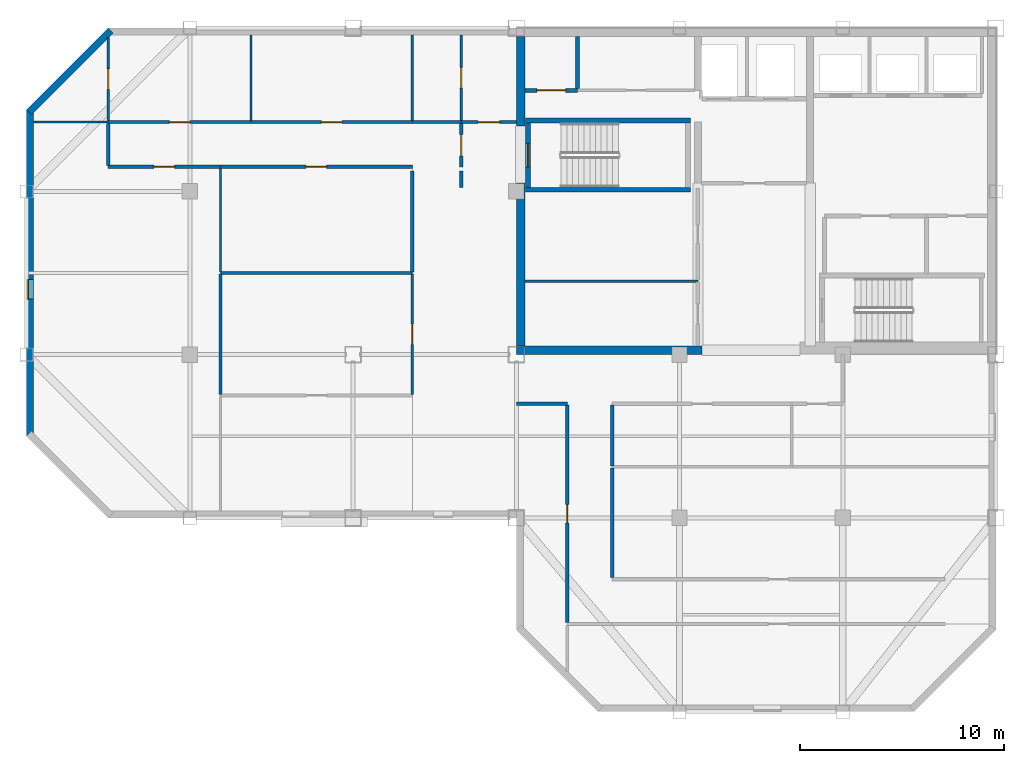
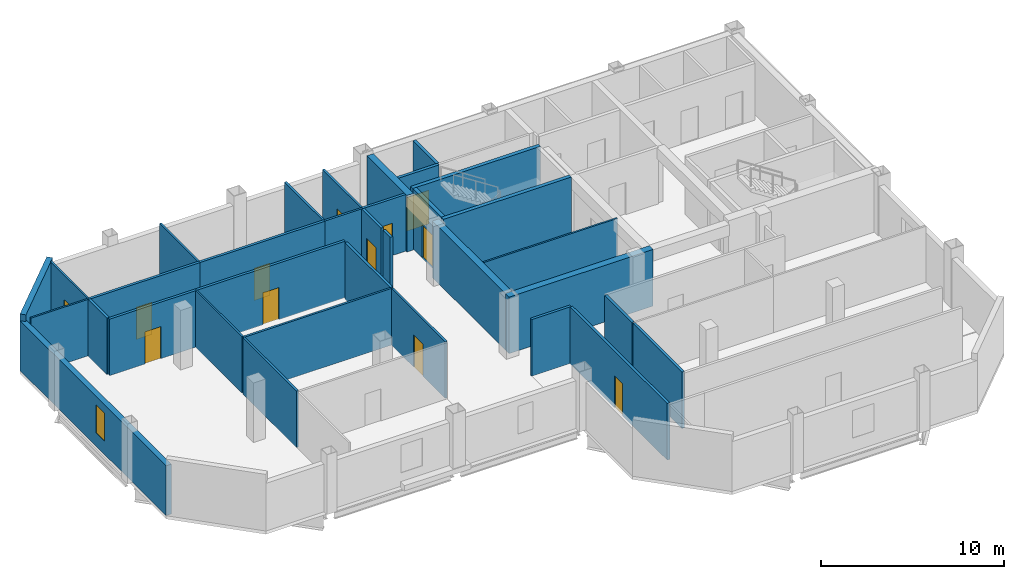
# One storey, part 2 of 7: 34 walls, 12 doors, 1 window, 13 openings.
"""IFC4 building model written with IfcOpenShell, lengths in metres."""

from ifc_helpers import new_model, si_unit, direction, frame, frame_2d, origin, place, context, subcontext, project, spatial, rectangle, extrude, material, layer, layer_set, type_object, element, fill, save


model = new_model("IFC4")

# Units and contexts
model_context = context("Model", 3, precision=1e-05, world=origin(), true_north=direction((0.0, 1.0)))
body_context = subcontext(model_context, "Body", "Model", "MODEL_VIEW")
ifc_project = project(units=[si_unit("LENGTHUNIT", "METRE"), si_unit("AREAUNIT", "SQUARE_METRE"), si_unit("VOLUMEUNIT", "CUBIC_METRE"), si_unit("PLANEANGLEUNIT", "RADIAN"), si_unit("MASSUNIT", "GRAM", prefix="KILO")], contexts=[model_context])

# Site, building, storey
site_placement = place(None, origin())
site = spatial("IfcSite", under=ifc_project, at=site_placement, CompositionType="ELEMENT")
building_placement = place(site_placement, origin())
building = spatial("IfcBuilding", under=site, at=building_placement, Name="Qianrong Seaharbour Tower", CompositionType="ELEMENT")
storey_placement = place(building_placement, frame((0.0, 0.0, 343.199951171875)))
storey = spatial("IfcBuildingStorey", under=building, at=storey_placement, Name="L83", CompositionType="ELEMENT", Elevation=343.199951171875)

# Walls
ifc_material_1 = material(Name="Concrete C50/60", Category="concrete")
ifc_layer_1 = layer(ifc_material_1, 0.419921875)
ifc_layer_set_1 = layer_set([ifc_layer_1], Name="Concrete C50/60")
wall_type_1 = type_object("IfcWallType", Name="WALL-CORE-420", PredefinedType="SHEAR", material=ifc_layer_set_1)
wall_1_placement = place(storey_placement, frame((40.7099609375, 36.419921875, 0.0), z_axis=(0.0, 0.0, 1.0), x_axis=(0.0, 1.0, 0.0)))
element("IfcWall", 1, at=wall_1_placement, inside=storey, type_object=wall_type_1, Name="L83 West Core Shear Wall South", PredefinedType="SHEAR", context=body_context, shape_type="SweptSolid", body=[
    extrude(rectangle(XDim=7.97998046875, YDim=0.419921875, at=frame_2d((3.989990234375, 0.0))), origin(), (0.0, 0.0, 1.0), 3.78515625),
])
wall_2_placement = place(storey_placement, frame((40.7099609375, 47.199951171875, 0.0), z_axis=(0.0, 0.0, 1.0), x_axis=(0.0, 1.0, 0.0)))
element("IfcWall", 2, at=wall_2_placement, inside=storey, type_object=wall_type_1, Name="L83 West Core Shear Wall North", PredefinedType="SHEAR", context=body_context, shape_type="SweptSolid", body=[
    extrude(rectangle(XDim=4.380126953125, YDim=0.419921875, at=frame_2d((2.18994140625, 0.0))), origin(), (0.0, 0.0, 1.0), 3.78515625),
])
wall_3_placement = place(storey_placement, frame((40.5, 36.2099609375, 0.0), z_axis=(0.0, 0.0, 1.0), x_axis=(1.0, 0.0, 0.0)))
element("IfcWall", 3, at=wall_3_placement, inside=storey, type_object=wall_type_1, Name="L83 South Core Shear Wall S1", PredefinedType="SHEAR", context=body_context, shape_type="SweptSolid", body=[
    extrude(rectangle(XDim=9.10009765625, YDim=0.419921875, at=frame_2d((4.550048828125, 0.0))), origin(), (0.0, 0.0, 1.0), 3.78515625),
])

# Wall, opening, door
ifc_material_2 = material(Name="Fire-rated acoustic gypsum board partition")
ifc_layer_2 = layer(ifc_material_2, 0.1650390625)
ifc_layer_set_2 = layer_set([ifc_layer_2], Name="Fire-rated acoustic gypsum board partition")
wall_type_2 = type_object("IfcWallType", Name="WALL-CORR-PART-165", PredefinedType="PARTITIONING", material=ifc_layer_set_2)
wall_4_placement = place(storey_placement, frame((37.800048828125, 47.39990234375, 0.0), z_axis=(0.0, 0.0, 1.0), x_axis=(1.0, 0.0, 0.0)))
wall_4 = element("IfcWall", 4, at=wall_4_placement, inside=storey, type_object=wall_type_2, Name="L83 Interior Partition Wall 001", PredefinedType="PARTITIONING", context=body_context, shape_type="SweptSolid", body=[
    extrude(rectangle(XDim=2.699951171875, YDim=0.1650390625, at=frame_2d((1.35009765625, 0.0))), origin(), (0.0, 0.0, 1.0), 3.78515625),
])
opening_1_placement = place(wall_4_placement, frame((0.824951171875, 0.0, 0.0)))
opening_1 = element("IfcOpeningElement", 5, at=opening_1_placement, cuts=wall_4, Name="Opening DC-01", PredefinedType="OPENING", context=body_context, shape_type="SweptSolid", body=[
    extrude(rectangle(XDim=1.050048828125, YDim=2.14990234375, at=frame_2d((0.52490234375, 1.074951171875))), frame((0.0, 0.092529296875, 0.0), z_axis=(0.0, -1.0, 0.0), x_axis=(1.0, 0.0, 0.0)), (0.0, 0.0, 1.0), 0.18505859375),
])
ifc_material_3 = material(Name="Acoustic timber and galvanized steel fire door assembly", Category="steel")
door_type_1 = type_object("IfcDoorType", Name="DOOR-CORR-FD60-1050x2150", OperationType="NOTDEFINED", PredefinedType="DOOR", material=ifc_material_3)
door_1_placement = place(opening_1_placement, origin())
door_1 = element("IfcDoor", 6, at=door_1_placement, inside=storey, type_object=door_type_1, Name="L83 Smokeproof Stair Vestibule ST-1 Door", OperationType="SINGLE_SWING_LEFT", OverallHeight=2.14990234375, OverallWidth=1.050048828125, PredefinedType="DOOR", context=body_context, shape_type="SweptSolid", body=[
    extrude(rectangle(XDim=1.050048828125, YDim=2.14990234375, at=frame_2d((0.52490234375, 1.074951171875))), frame((0.0, 0.02490234375, 0.0), z_axis=(0.0, -1.0, 0.0), x_axis=(1.0, 0.0, 0.0)), (0.0, 0.0, 1.0), 0.050048828125),
])
fill(opening_1, door_1)

wall_5_placement = place(storey_placement, frame((37.800048828125, 45.199951171875, 0.0), z_axis=(0.0, 0.0, 1.0), x_axis=(0.0, 1.0, 0.0)))
wall_5 = element("IfcWall", 7, at=wall_5_placement, inside=storey, type_object=wall_type_2, Name="L83 Interior Partition Wall 002", PredefinedType="PARTITIONING", context=body_context, shape_type="SweptSolid", body=[
    extrude(rectangle(XDim=2.12548828125, YDim=0.1650390625, at=frame_2d((1.062744140625, 0.0))), origin(), (0.0, 0.0, 1.0), 3.78515625),
])
opening_2_placement = place(wall_5_placement, frame((0.537841796875, 0.0, 0.0)))
opening_2 = element("IfcOpeningElement", 8, at=opening_2_placement, cuts=wall_5, Name="Opening DC-01", PredefinedType="OPENING", context=body_context, shape_type="SweptSolid", body=[
    extrude(rectangle(XDim=1.050048828125, YDim=2.14990234375, at=frame_2d((0.52490234375, 1.074951171875))), frame((0.0, 0.092529296875, 0.0), z_axis=(0.0, -1.0, 0.0), x_axis=(1.0, 0.0, 0.0)), (0.0, 0.0, 1.0), 0.18505859375),
])
door_2_placement = place(opening_2_placement, origin())
door_2 = element("IfcDoor", 9, at=door_2_placement, inside=storey, type_object=door_type_1, Name="L83 Smokeproof Stair Vestibule ST-1 Door", OperationType="SINGLE_SWING_RIGHT", OverallHeight=2.14990234375, OverallWidth=1.050048828125, PredefinedType="DOOR", context=body_context, shape_type="SweptSolid", body=[
    extrude(rectangle(XDim=1.050048828125, YDim=2.14990234375, at=frame_2d((0.52490234375, 1.074951171875))), frame((0.0, 0.02490234375, 0.0), z_axis=(0.0, -1.0, 0.0), x_axis=(1.0, 0.0, 0.0)), (0.0, 0.0, 1.0), 0.050048828125),
])
fill(opening_2, door_2)

# Wall
wall_6_placement = place(storey_placement, frame((37.800048828125, 44.199951171875, 0.0), z_axis=(0.0, 0.0, 1.0), x_axis=(0.0, 1.0, 0.0)))
element("IfcWall", 10, at=wall_6_placement, inside=storey, type_object=wall_type_2, Name="L83 Interior Partition Wall 003", PredefinedType="PARTITIONING", context=body_context, shape_type="SweptSolid", body=[
    extrude(rectangle(XDim=0.800048828125, YDim=0.1650390625, at=frame_2d((0.39990234375, 0.0))), origin(), (0.0, 0.0, 1.0), 3.78515625),
])

# Wall, opening, door
wall_7_placement = place(storey_placement, frame((20.5, 47.39990234375, 0.0), z_axis=(0.0, 0.0, 1.0), x_axis=(1.0, 0.0, 0.0)))
wall_7 = element("IfcWall", 11, at=wall_7_placement, inside=storey, type_object=wall_type_2, Name="L83 Interior Partition Wall 018", PredefinedType="PARTITIONING", context=body_context, shape_type="SweptSolid", body=[
    extrude(rectangle(XDim=7.0, YDim=0.1650390625, at=frame_2d((3.5, 0.0))), origin(), (0.0, 0.0, 1.0), 3.78515625),
])
opening_3_placement = place(wall_7_placement, frame((3.0, 0.0, 0.0)))
opening_3 = element("IfcOpeningElement", 12, at=opening_3_placement, cuts=wall_7, Name="Opening DO-01", PredefinedType="OPENING", context=body_context, shape_type="SweptSolid", body=[
    extrude(rectangle(XDim=1.0, YDim=2.14990234375, at=frame_2d((0.5, 1.074951171875))), frame((0.0, 0.092529296875, 0.0), z_axis=(0.0, -1.0, 0.0), x_axis=(1.0, 0.0, 0.0)), (0.0, 0.0, 1.0), 0.18505859375),
])
door_type_2 = type_object("IfcDoorType", Name="DOOR-OFFICE-1000x2150", OperationType="NOTDEFINED", PredefinedType="DOOR", material=ifc_material_3)
door_3_placement = place(opening_3_placement, origin())
door_3 = element("IfcDoor", 13, at=door_3_placement, inside=storey, type_object=door_type_2, Name="L83 Physiotherapy Room 2 Door", OperationType="SINGLE_SWING_RIGHT", OverallHeight=2.14990234375, OverallWidth=1.0, PredefinedType="DOOR", context=body_context, shape_type="SweptSolid", body=[
    extrude(rectangle(XDim=1.0, YDim=2.14990234375, at=frame_2d((0.5, 1.074951171875))), frame((0.0, 0.02490234375, 0.0), z_axis=(0.0, -1.0, 0.0), x_axis=(1.0, 0.0, 0.0)), (0.0, 0.0, 1.0), 0.050048828125),
])
fill(opening_3, door_3)

wall_8_placement = place(storey_placement, frame((27.5, 47.39990234375, 0.0), z_axis=(0.0, 0.0, 1.0), x_axis=(1.0, 0.0, 0.0)))
wall_8 = element("IfcWall", 14, at=wall_8_placement, inside=storey, type_object=wall_type_2, Name="L83 Interior Partition Wall 019", PredefinedType="PARTITIONING", context=body_context, shape_type="SweptSolid", body=[
    extrude(rectangle(XDim=7.89990234375, YDim=0.1650390625, at=frame_2d((3.949951171875, 0.0))), origin(), (0.0, 0.0, 1.0), 3.78515625),
])
opening_4_placement = place(wall_8_placement, frame((3.449951171875, 0.0, 0.0)))
opening_4 = element("IfcOpeningElement", 15, at=opening_4_placement, cuts=wall_8, Name="Opening DO-01", PredefinedType="OPENING", context=body_context, shape_type="SweptSolid", body=[
    extrude(rectangle(XDim=1.0, YDim=2.14990234375, at=frame_2d((0.5, 1.074951171875))), frame((0.0, 0.092529296875, 0.0), z_axis=(0.0, -1.0, 0.0), x_axis=(1.0, 0.0, 0.0)), (0.0, 0.0, 1.0), 0.18505859375),
])
door_4_placement = place(opening_4_placement, origin())
door_4 = element("IfcDoor", 16, at=door_4_placement, inside=storey, type_object=door_type_2, Name="L83 First Aid Nursing Room 3 Door", OperationType="SINGLE_SWING_LEFT", OverallHeight=2.14990234375, OverallWidth=1.0, PredefinedType="DOOR", context=body_context, shape_type="SweptSolid", body=[
    extrude(rectangle(XDim=1.0, YDim=2.14990234375, at=frame_2d((0.5, 1.074951171875))), frame((0.0, 0.02490234375, 0.0), z_axis=(0.0, -1.0, 0.0), x_axis=(1.0, 0.0, 0.0)), (0.0, 0.0, 1.0), 0.050048828125),
])
fill(opening_4, door_4)

wall_9_placement = place(storey_placement, frame((26.0, 45.199951171875, 0.0), z_axis=(0.0, 0.0, 1.0), x_axis=(-1.0, 0.0, 0.0)))
wall_9 = element("IfcWall", 17, at=wall_9_placement, inside=storey, type_object=wall_type_2, Name="L83 Interior Partition Wall 020", PredefinedType="PARTITIONING", context=body_context, shape_type="SweptSolid", body=[
    extrude(rectangle(XDim=5.5, YDim=0.1650390625, at=frame_2d((2.75, 0.0))), origin(), (0.0, 0.0, 1.0), 3.78515625),
])
opening_5_placement = place(wall_9_placement, frame((2.25, 0.0, 0.0)))
opening_5 = element("IfcOpeningElement", 18, at=opening_5_placement, cuts=wall_9, Name="Opening DO-01", PredefinedType="OPENING", context=body_context, shape_type="SweptSolid", body=[
    extrude(rectangle(XDim=1.0, YDim=2.14990234375, at=frame_2d((0.5, 1.074951171875))), frame((0.0, 0.092529296875, 0.0), z_axis=(0.0, -1.0, 0.0), x_axis=(1.0, 0.0, 0.0)), (0.0, 0.0, 1.0), 0.18505859375),
])
door_5_placement = place(opening_5_placement, origin())
door_5 = element("IfcDoor", 19, at=door_5_placement, inside=storey, type_object=door_type_2, Name="L83 Wellness Exercise Hall Door", OperationType="SINGLE_SWING_RIGHT", OverallHeight=2.14990234375, OverallWidth=1.0, PredefinedType="DOOR", context=body_context, shape_type="SweptSolid", body=[
    extrude(rectangle(XDim=1.0, YDim=2.14990234375, at=frame_2d((0.5, 1.074951171875))), frame((0.0, 0.02490234375, 0.0), z_axis=(0.0, -1.0, 0.0), x_axis=(1.0, 0.0, 0.0)), (0.0, 0.0, 1.0), 0.050048828125),
])
fill(opening_5, door_5)

# Wall
wall_10_placement = place(storey_placement, frame((20.5, 45.2744140625, 0.0), z_axis=(0.0, 0.0, 1.0), x_axis=(0.0, 1.0, 0.0)))
element("IfcWall", 20, at=wall_10_placement, inside=storey, type_object=wall_type_2, Name="L83 Interior Partition Wall 021", PredefinedType="PARTITIONING", context=body_context, shape_type="SweptSolid", body=[
    extrude(rectangle(XDim=2.051025390625, YDim=0.1650390625, at=frame_2d((1.025390625, 0.0))), origin(), (0.0, 0.0, 1.0), 3.78515625),
])

# Wall, opening, door
wall_11_placement = place(storey_placement, frame((35.39990234375, 45.199951171875, 0.0), z_axis=(0.0, 0.0, 1.0), x_axis=(-1.0, 0.0, 0.0)))
wall_11 = element("IfcWall", 21, at=wall_11_placement, inside=storey, type_object=wall_type_2, Name="L83 Interior Partition Wall 022", PredefinedType="PARTITIONING", context=body_context, shape_type="SweptSolid", body=[
    extrude(rectangle(XDim=9.39990234375, YDim=0.1650390625, at=frame_2d((4.699951171875, 0.0))), origin(), (0.0, 0.0, 1.0), 3.78515625),
])
opening_6_placement = place(wall_11_placement, frame((4.199951171875, 0.0, 0.0)))
opening_6 = element("IfcOpeningElement", 22, at=opening_6_placement, cuts=wall_11, Name="Opening DO-01", PredefinedType="OPENING", context=body_context, shape_type="SweptSolid", body=[
    extrude(rectangle(XDim=1.0, YDim=2.14990234375, at=frame_2d((0.5, 1.074951171875))), frame((0.0, 0.092529296875, 0.0), z_axis=(0.0, -1.0, 0.0), x_axis=(1.0, 0.0, 0.0)), (0.0, 0.0, 1.0), 0.18505859375),
])
door_6_placement = place(opening_6_placement, origin())
door_6 = element("IfcDoor", 23, at=door_6_placement, inside=storey, type_object=door_type_2, Name="L83 Records Office 3 Door", OperationType="SINGLE_SWING_LEFT", OverallHeight=2.14990234375, OverallWidth=1.0, PredefinedType="DOOR", context=body_context, shape_type="SweptSolid", body=[
    extrude(rectangle(XDim=1.0, YDim=2.14990234375, at=frame_2d((0.5, 1.074951171875))), frame((0.0, 0.02490234375, 0.0), z_axis=(0.0, -1.0, 0.0), x_axis=(1.0, 0.0, 0.0)), (0.0, 0.0, 1.0), 0.050048828125),
])
fill(opening_6, door_6)

# Walls
wall_12_placement = place(storey_placement, frame((35.39990234375, 40.056884765625, 0.0), z_axis=(0.0, 0.0, 1.0), x_axis=(0.0, 1.0, 0.0)))
element("IfcWall", 24, at=wall_12_placement, inside=storey, type_object=wall_type_2, Name="L83 Interior Partition Wall 024", PredefinedType="PARTITIONING", context=body_context, shape_type="SweptSolid", body=[
    extrude(rectangle(XDim=4.943115234375, YDim=0.1650390625, at=frame_2d((2.4716796875, 0.0))), origin(), (0.0, 0.0, 1.0), 3.78515625),
])
wall_13_placement = place(storey_placement, frame((43.0, 33.60009765625, 0.0), z_axis=(0.0, 0.0, 1.0), x_axis=(-1.0, 0.0, 0.0)))
element("IfcWall", 25, at=wall_13_placement, inside=storey, type_object=wall_type_2, Name="L83 Interior Partition Wall 028", PredefinedType="PARTITIONING", context=body_context, shape_type="SweptSolid", body=[
    extrude(rectangle(XDim=2.5, YDim=0.1650390625, at=frame_2d((1.25, 0.0))), origin(), (0.0, 0.0, 1.0), 3.78515625),
])
wall_14_placement = place(storey_placement, frame((45.199951171875, 30.452880859375, 0.0), z_axis=(0.0, 0.0, 1.0), x_axis=(0.0, -1.0, 0.0)))
element("IfcWall", 26, at=wall_14_placement, inside=storey, type_object=wall_type_2, Name="L83 Interior Partition Wall 030", PredefinedType="PARTITIONING", context=body_context, shape_type="SweptSolid", body=[
    extrude(rectangle(XDim=5.37841796875, YDim=0.1650390625, at=frame_2d((2.689208984375, 0.0))), origin(), (0.0, 0.0, 1.0), 3.78515625),
])
wall_15_placement = place(storey_placement, frame((45.199951171875, 33.525390625, 0.0), z_axis=(0.0, 0.0, 1.0), x_axis=(0.0, -1.0, 0.0)))
element("IfcWall", 27, at=wall_15_placement, inside=storey, type_object=wall_type_2, Name="L83 Interior Partition Wall 031", PredefinedType="PARTITIONING", context=body_context, shape_type="SweptSolid", body=[
    extrude(rectangle(XDim=2.978271484375, YDim=0.1650390625, at=frame_2d((1.4892578125, 0.0))), origin(), (0.0, 0.0, 1.0), 3.78515625),
])

# Wall, opening, door
wall_16_placement = place(storey_placement, frame((43.0, 22.87451171875, 0.0), z_axis=(0.0, 0.0, 1.0), x_axis=(0.0, 1.0, 0.0)))
wall_16 = element("IfcWall", 28, at=wall_16_placement, inside=storey, type_object=wall_type_2, Name="L83 Interior Partition Wall 032", PredefinedType="PARTITIONING", context=body_context, shape_type="SweptSolid", body=[
    extrude(rectangle(XDim=10.65087890625, YDim=0.1650390625, at=frame_2d((5.325439453125, 0.0))), origin(), (0.0, 0.0, 1.0), 3.78515625),
])
opening_7_placement = place(wall_16_placement, frame((4.87548828125, 0.0, 0.0)))
opening_7 = element("IfcOpeningElement", 29, at=opening_7_placement, cuts=wall_16, Name="Opening DS-01", PredefinedType="OPENING", context=body_context, shape_type="SweptSolid", body=[
    extrude(rectangle(XDim=0.89990234375, YDim=2.14990234375, at=frame_2d((0.449951171875, 1.074951171875))), frame((0.0, 0.092529296875, 0.0), z_axis=(0.0, -1.0, 0.0), x_axis=(1.0, 0.0, 0.0)), (0.0, 0.0, 1.0), 0.18505859375),
])
door_type_3 = type_object("IfcDoorType", Name="DOOR-STORE-900x2150", OperationType="NOTDEFINED", PredefinedType="DOOR", material=ifc_material_3)
door_7_placement = place(opening_7_placement, origin())
door_7 = element("IfcDoor", 30, at=door_7_placement, inside=storey, type_object=door_type_3, Name="L83 Clinical Dispensary Store Door", OperationType="SINGLE_SWING_RIGHT", OverallHeight=2.14990234375, OverallWidth=0.89990234375, PredefinedType="DOOR", context=body_context, shape_type="SweptSolid", body=[
    extrude(rectangle(XDim=0.89990234375, YDim=2.14990234375, at=frame_2d((0.449951171875, 1.074951171875))), frame((0.0, 0.02490234375, 0.0), z_axis=(0.0, -1.0, 0.0), x_axis=(1.0, 0.0, 0.0)), (0.0, 0.0, 1.0), 0.050048828125),
])
fill(opening_7, door_7)

# Wall
ifc_material_4 = material(Name="Demountable aluminium-framed acoustic office partition", Category="aluminium")
ifc_layer_3 = layer(ifc_material_4, 0.110107421875)
ifc_layer_set_3 = layer_set([ifc_layer_3], Name="Demountable aluminium-framed acoustic office partition")
wall_type_3 = type_object("IfcWallType", Name="WALL-DEMOUNT-110", PredefinedType="MOVABLE", material=ifc_layer_set_3)
wall_17_placement = place(storey_placement, frame((40.919921875, 39.60009765625, 0.0), z_axis=(0.0, 0.0, 1.0), x_axis=(1.0, 0.0, 0.0)))
element("IfcWall", 31, at=wall_17_placement, inside=storey, type_object=wall_type_3, Name="L83 Interior Partition Wall 013", PredefinedType="MOVABLE", context=body_context, shape_type="SweptSolid", body=[
    extrude(rectangle(XDim=8.47998046875, YDim=0.110107421875, at=frame_2d((4.239990234375, 0.0))), origin(), (0.0, 0.0, 1.0), 3.78515625),
])

# Wall, opening, door
wall_18_placement = place(storey_placement, frame((20.5, 51.530517578125, 0.0), z_axis=(0.0, 0.0, 1.0), x_axis=(0.0, -1.0, 0.0)))
wall_18 = element("IfcWall", 32, at=wall_18_placement, inside=storey, type_object=wall_type_3, Name="L83 Interior Partition Wall 039", PredefinedType="MOVABLE", context=body_context, shape_type="SweptSolid", body=[
    extrude(rectangle(XDim=4.055908203125, YDim=0.110107421875, at=frame_2d((2.02783203125, 0.0))), origin(), (0.0, 0.0, 1.0), 3.78515625),
])
opening_8_placement = place(wall_18_placement, frame((1.528076171875, 0.0, 0.0)))
opening_8 = element("IfcOpeningElement", 33, at=opening_8_placement, cuts=wall_18, Name="Opening DO-01", PredefinedType="OPENING", context=body_context, shape_type="SweptSolid", body=[
    extrude(rectangle(XDim=1.0, YDim=2.14990234375, at=frame_2d((0.5, 1.074951171875))), frame((0.0, 0.06494140625, 0.0), z_axis=(0.0, -1.0, 0.0), x_axis=(1.0, 0.0, 0.0)), (0.0, 0.0, 1.0), 0.130126953125),
])
door_8_placement = place(opening_8_placement, origin())
door_8 = element("IfcDoor", 34, at=door_8_placement, inside=storey, type_object=door_type_2, Name="L83 Occupational Health Clinic 1 Door", OperationType="SINGLE_SWING_LEFT", OverallHeight=2.14990234375, OverallWidth=1.0, PredefinedType="DOOR", context=body_context, shape_type="SweptSolid", body=[
    extrude(rectangle(XDim=1.0, YDim=2.14990234375, at=frame_2d((0.5, 1.074951171875))), frame((0.0, 0.02490234375, 0.0), z_axis=(0.0, -1.0, 0.0), x_axis=(1.0, 0.0, 0.0)), (0.0, 0.0, 1.0), 0.050048828125),
])
fill(opening_8, door_8)

# Walls
wall_19_placement = place(storey_placement, frame((20.5, 47.39990234375, 0.0), z_axis=(0.0, 0.0, 1.0), x_axis=(-1.0, 0.0, 0.0)))
element("IfcWall", 35, at=wall_19_placement, inside=storey, type_object=wall_type_3, Name="L83 Interior Partition Wall 040", PredefinedType="MOVABLE", context=body_context, shape_type="SweptSolid", body=[
    extrude(rectangle(XDim=3.66796875, YDim=0.110107421875, at=frame_2d((1.833984375, 0.0))), origin(), (0.0, 0.0, 1.0), 3.78515625),
])
wall_20_placement = place(storey_placement, frame((27.5, 51.66796875, 0.0), z_axis=(0.0, 0.0, 1.0), x_axis=(0.0, -1.0, 0.0)))
element("IfcWall", 36, at=wall_20_placement, inside=storey, type_object=wall_type_3, Name="L83 Interior Partition Wall 041", PredefinedType="MOVABLE", context=body_context, shape_type="SweptSolid", body=[
    extrude(rectangle(XDim=4.193359375, YDim=0.110107421875, at=frame_2d((2.0966796875, 0.0))), origin(), (0.0, 0.0, 1.0), 3.78515625),
])
wall_21_placement = place(storey_placement, frame((26.0, 45.12548828125, 0.0), z_axis=(0.0, 0.0, 1.0), x_axis=(0.0, -1.0, 0.0)))
element("IfcWall", 37, at=wall_21_placement, inside=storey, type_object=wall_type_3, Name="L83 Interior Partition Wall 044", PredefinedType="MOVABLE", context=body_context, shape_type="SweptSolid", body=[
    extrude(rectangle(XDim=5.068603515625, YDim=0.110107421875, at=frame_2d((2.5341796875, 0.0))), origin(), (0.0, 0.0, 1.0), 3.78515625),
])

# Wall, opening, window
ifc_material_5 = material(Name="Unitised buff brick on Precast concrete C45/55", Category="masonry")
ifc_layer_4 = layer(ifc_material_5, 0.340087890625)
ifc_layer_set_4 = layer_set([ifc_layer_4], Name="Unitised buff brick on Precast concrete C45/55")
wall_type_4 = type_object("IfcWallType", Name="WALL-EXT-BRICK-BUFF-340", PredefinedType="SOLIDWALL", material=ifc_layer_set_4)
wall_22_placement = place(storey_placement, frame((16.669921875, 32.0, 0.0), z_axis=(0.0, 0.0, 1.0), x_axis=(0.0, 1.0, 0.0)))
wall_22 = element("IfcWall", 38, at=wall_22_placement, inside=storey, type_object=wall_type_4, Name="L83 Exterior Masonry Facade Wall WEST_TIP", PredefinedType="SOLIDWALL", context=body_context, shape_type="SweptSolid", body=[
    extrude(rectangle(XDim=16.0, YDim=0.340087890625, at=frame_2d((8.0, 0.0))), origin(), (0.0, 0.0, 1.0), 3.3349609375),
])
opening_9_placement = place(wall_22_placement, frame((6.72509765625, 0.0, 0.89990234375)))
opening_9 = element("IfcOpeningElement", 39, at=opening_9_placement, cuts=wall_22, Name="Opening WN-13", PredefinedType="OPENING", context=body_context, shape_type="SweptSolid", body=[
    extrude(rectangle(XDim=0.949951171875, YDim=1.85009765625, at=frame_2d((0.47509765625, 0.925048828125))), frame((0.0, 0.18017578125, 0.0), z_axis=(0.0, -1.0, 0.0), x_axis=(1.0, 0.0, 0.0)), (0.0, 0.0, 1.0), 0.360107421875),
])
ifc_material_6 = material(Name="Insulated low-e double glazing in thermally broken aluminium 6063-T6 frame", Category="aluminium")
window_type = type_object("IfcWindowType", Name="WIN-NARROW-950x1850", PartitioningType="SINGLE_PANEL", PredefinedType="WINDOW", material=ifc_material_6)
window_placement = place(opening_9_placement, origin())
window = element("IfcWindow", 40, at=window_placement, inside=storey, type_object=window_type, Name="L83 Deep-Set Punched Window 03.02", OverallHeight=1.85009765625, OverallWidth=0.949951171875, PartitioningType="SINGLE_PANEL", PredefinedType="WINDOW", context=body_context, shape_type="SweptSolid", body=[
    extrude(rectangle(XDim=0.949951171875, YDim=1.85009765625, at=frame_2d((0.47509765625, 0.925048828125))), frame((0.0, 0.150146484375, 0.0), z_axis=(0.0, -1.0, 0.0), x_axis=(1.0, 0.0, 0.0)), (0.0, 0.0, 1.0), 0.06005859375),
])
fill(opening_9, window)

# Wall
wall_23_placement = place(storey_placement, frame((16.6201171875, 47.8798828125, 0.0), z_axis=(0.0, 0.0, 1.0), x_axis=(0.707106781187, 0.707106781187, 0.0)))
element("IfcWall", 41, at=wall_23_placement, inside=storey, type_object=wall_type_4, Name="L83 Exterior Masonry Facade Wall E04", PredefinedType="SOLIDWALL", context=body_context, shape_type="SweptSolid", body=[
    extrude(rectangle(XDim=5.65673828125, YDim=0.340087890625, at=frame_2d((2.828369140625, 0.0))), origin(), (0.0, 0.0, 1.0), 3.78515625),
])

# Wall, opening, door
ifc_material_7 = material(Name="Double fire-rated gypsum board acoustic partition")
ifc_layer_5 = layer(ifc_material_7, 0.18994140625)
ifc_layer_set_5 = layer_set([ifc_layer_5], Name="Double fire-rated gypsum board acoustic partition")
wall_type_5 = type_object("IfcWallType", Name="WALL-FIRE-PART-190", PredefinedType="PARTITIONING", material=ifc_layer_set_5)
wall_24_placement = place(storey_placement, frame((40.919921875, 48.949951171875, 0.0), z_axis=(0.0, 0.0, 1.0), x_axis=(1.0, 0.0, 0.0)))
wall_24 = element("IfcWall", 42, at=wall_24_placement, inside=storey, type_object=wall_type_5, Name="L83 Interior Partition Wall 007", PredefinedType="PARTITIONING", context=body_context, shape_type="SweptSolid", body=[
    extrude(rectangle(XDim=2.580078125, YDim=0.18994140625, at=frame_2d((1.2900390625, 0.0))), origin(), (0.0, 0.0, 1.0), 3.78515625),
])
opening_10_placement = place(wall_24_placement, frame((0.590087890625, 0.0, 0.0)))
opening_10 = element("IfcOpeningElement", 43, at=opening_10_placement, cuts=wall_24, Name="Opening DP-01", PredefinedType="OPENING", context=body_context, shape_type="SweptSolid", body=[
    extrude(rectangle(XDim=1.39990234375, YDim=2.25, at=frame_2d((0.699951171875, 1.125))), frame((0.0, 0.10498046875, 0.0), z_axis=(0.0, -1.0, 0.0), x_axis=(1.0, 0.0, 0.0)), (0.0, 0.0, 1.0), 0.2099609375),
])
door_type_4 = type_object("IfcDoorType", Name="DOOR-PLANT-PAIR-1400x2250", OperationType="DOUBLE_DOOR_SINGLE_SWING", PredefinedType="DOOR", material=ifc_material_3)
door_9_placement = place(opening_10_placement, origin())
door_9 = element("IfcDoor", 44, at=door_9_placement, inside=storey, type_object=door_type_4, Name="L83 Core Electrical Closet Door", OperationType="DOUBLE_DOOR_SINGLE_SWING", OverallHeight=2.25, OverallWidth=1.39990234375, PredefinedType="DOOR", context=body_context, shape_type="SweptSolid", body=[
    extrude(rectangle(XDim=1.39990234375, YDim=2.25, at=frame_2d((0.699951171875, 1.125))), frame((0.0, 0.02490234375, 0.0), z_axis=(0.0, -1.0, 0.0), x_axis=(1.0, 0.0, 0.0)), (0.0, 0.0, 1.0), 0.050048828125),
])
fill(opening_10, door_9)

# Walls
wall_25_placement = place(storey_placement, frame((43.5, 51.580078125, 0.0), z_axis=(0.0, 0.0, 1.0), x_axis=(0.0, -1.0, 0.0)))
element("IfcWall", 45, at=wall_25_placement, inside=storey, type_object=wall_type_5, Name="L83 Interior Partition Wall 016", PredefinedType="PARTITIONING", context=body_context, shape_type="SweptSolid", body=[
    extrude(rectangle(XDim=2.54296875, YDim=0.18994140625, at=frame_2d((1.271484375, 0.0))), origin(), (0.0, 0.0, 1.0), 3.78515625),
])
ifc_layer_6 = layer(ifc_material_1, 0.239990234375)
ifc_layer_set_6 = layer_set([ifc_layer_6], Name="Concrete C50/60")
wall_type_6 = type_object("IfcWallType", Name="WALL-SHAFT-RC240", PredefinedType="SOLIDWALL", material=ifc_layer_set_6)
for number, where, z_axis, x_axis, name in (
    (46, (40.9599609375, 47.469970703125, 0.0), (0.0, 0.0, 1.0), (1.0, 0.0, 0.0), "L83 ST-1 Structural Stair Core Wall N"),
    (47, (49.0400390625, 44.080078125, 0.0), (0.0, 0.0, 1.0), (-1.0, 0.0, 0.0), "L83 ST-1 Structural Stair Core Wall S"),
):
    element("IfcWall", number, at=place(storey_placement, frame(where, z_axis=z_axis, x_axis=x_axis)), inside=storey, type_object=wall_type_6, Name=name, PredefinedType="SOLIDWALL", context=body_context, shape_type="SweptSolid", body=[
        extrude(rectangle(XDim=8.080078125, YDim=0.239990234375, at=frame_2d((4.0400390625, 0.0))), origin(), (0.0, 0.0, 1.0), 4.0),
    ])

# Wall, opening, door
wall_26_placement = place(storey_placement, frame((41.080078125, 47.35009765625, 0.0), z_axis=(0.0, 0.0, 1.0), x_axis=(0.0, -1.0, 0.0)))
wall_26 = element("IfcWall", 48, at=wall_26_placement, inside=storey, type_object=wall_type_6, Name="L83 ST-1 Structural Stair Core Wall W", PredefinedType="SOLIDWALL", context=body_context, shape_type="SweptSolid", body=[
    extrude(rectangle(XDim=3.150146484375, YDim=0.239990234375, at=frame_2d((1.5751953125, 0.0))), origin(), (0.0, 0.0, 1.0), 4.0),
])
opening_11_placement = place(wall_26_placement, frame((1.0, 0.0, 0.0)))
opening_11 = element("IfcOpeningElement", 49, at=opening_11_placement, cuts=wall_26, Name="Opening SD-01", PredefinedType="OPENING", context=body_context, shape_type="SweptSolid", body=[
    extrude(rectangle(XDim=1.14990234375, YDim=2.199951171875, at=frame_2d((0.574951171875, 1.10009765625))), frame((0.0, 0.1298828125, 0.0), z_axis=(0.0, -1.0, 0.0), x_axis=(1.0, 0.0, 0.0)), (0.0, 0.0, 1.0), 0.260009765625),
])
door_type_5 = type_object("IfcDoorType", Name="DOOR-STAIR-FD60-1150x2200", OperationType="NOTDEFINED", PredefinedType="DOOR", material=ifc_material_3)
door_10_placement = place(opening_11_placement, origin())
door_10 = element("IfcDoor", 50, at=door_10_placement, inside=storey, type_object=door_type_5, Name="L83 ST-1 Protected Stair Door", OperationType="SINGLE_SWING_RIGHT", OverallHeight=2.199951171875, OverallWidth=1.14990234375, PredefinedType="DOOR", context=body_context, shape_type="SweptSolid", body=[
    extrude(rectangle(XDim=1.14990234375, YDim=2.199951171875, at=frame_2d((0.574951171875, 1.10009765625))), frame((0.0, 0.02490234375, 0.0), z_axis=(0.0, -1.0, 0.0), x_axis=(1.0, 0.0, 0.0)), (0.0, 0.0, 1.0), 0.050048828125),
])
fill(opening_11, door_10)

ifc_material_8 = material(Name="Water-resistant cement board sanitary partition")
ifc_layer_7 = layer(ifc_material_8, 0.1298828125)
ifc_layer_set_7 = layer_set([ifc_layer_7], Name="Water-resistant cement board sanitary partition")
wall_type_7 = type_object("IfcWallType", Name="WALL-WET-PART-130", PredefinedType="PARTITIONING", material=ifc_layer_set_7)
wall_27_placement = place(storey_placement, frame((37.800048828125, 47.474609375, 0.0), z_axis=(0.0, 0.0, 1.0), x_axis=(0.0, 1.0, 0.0)))
wall_27 = element("IfcWall", 51, at=wall_27_placement, inside=storey, type_object=wall_type_7, Name="L83 Interior Partition Wall 004", PredefinedType="PARTITIONING", context=body_context, shape_type="SweptSolid", body=[
    extrude(rectangle(XDim=4.193359375, YDim=0.1298828125, at=frame_2d((2.0966796875, 0.0))), origin(), (0.0, 0.0, 1.0), 3.78515625),
])
opening_12_placement = place(wall_27_placement, frame((1.5869140625, 0.0, 0.0)))
opening_12 = element("IfcOpeningElement", 52, at=opening_12_placement, cuts=wall_27, Name="Opening DAW-01", PredefinedType="OPENING", context=body_context, shape_type="SweptSolid", body=[
    extrude(rectangle(XDim=1.02001953125, YDim=2.14990234375, at=frame_2d((0.510009765625, 1.074951171875))), frame((0.0, 0.074951171875, 0.0), z_axis=(0.0, -1.0, 0.0), x_axis=(1.0, 0.0, 0.0)), (0.0, 0.0, 1.0), 0.14990234375),
])
door_type_6 = type_object("IfcDoorType", Name="DOOR-AWC-SLIDE-1020x2150", OperationType="SLIDING_TO_LEFT", PredefinedType="DOOR", material=ifc_material_3)
door_11_placement = place(opening_12_placement, origin())
door_11 = element("IfcDoor", 53, at=door_11_placement, inside=storey, type_object=door_type_6, Name="L83 Accessible Restroom WC Door", OperationType="SLIDING_TO_LEFT", OverallHeight=2.14990234375, OverallWidth=1.02001953125, PredefinedType="DOOR", context=body_context, shape_type="SweptSolid", body=[
    extrude(rectangle(XDim=1.02001953125, YDim=2.14990234375, at=frame_2d((0.510009765625, 1.074951171875))), frame((0.0, 0.02490234375, 0.0), z_axis=(0.0, -1.0, 0.0), x_axis=(1.0, 0.0, 0.0)), (0.0, 0.0, 1.0), 0.050048828125),
])
fill(opening_12, door_11)

# Walls
wall_28_placement = place(storey_placement, frame((37.800048828125, 47.39990234375, 0.0), z_axis=(0.0, 0.0, 1.0), x_axis=(-1.0, 0.0, 0.0)))
element("IfcWall", 54, at=wall_28_placement, inside=storey, type_object=wall_type_7, Name="L83 Interior Partition Wall 005", PredefinedType="PARTITIONING", context=body_context, shape_type="SweptSolid", body=[
    extrude(rectangle(XDim=2.400146484375, YDim=0.1298828125, at=frame_2d((1.2001953125, 0.0))), origin(), (0.0, 0.0, 1.0), 3.78515625),
])
wall_29_placement = place(storey_placement, frame((35.39990234375, 47.474609375, 0.0), z_axis=(0.0, 0.0, 1.0), x_axis=(0.0, 1.0, 0.0)))
element("IfcWall", 55, at=wall_29_placement, inside=storey, type_object=wall_type_7, Name="L83 Interior Partition Wall 006", PredefinedType="PARTITIONING", context=body_context, shape_type="SweptSolid", body=[
    extrude(rectangle(XDim=4.193359375, YDim=0.1298828125, at=frame_2d((2.0966796875, 0.0))), origin(), (0.0, 0.0, 1.0), 3.78515625),
])

# Wall, opening, door
wall_30_placement = place(storey_placement, frame((35.39990234375, 34.056884765625, 0.0), z_axis=(0.0, 0.0, 1.0), x_axis=(0.0, 1.0, 0.0)))
wall_30 = element("IfcWall", 56, at=wall_30_placement, inside=storey, type_object=wall_type_7, Name="L83 Interior Partition Wall 023", PredefinedType="PARTITIONING", context=body_context, shape_type="SweptSolid", body=[
    extrude(rectangle(XDim=5.88623046875, YDim=0.1298828125, at=frame_2d((2.943115234375, 0.0))), origin(), (0.0, 0.0, 1.0), 3.78515625),
])
opening_13_placement = place(wall_30_placement, frame((2.443115234375, 0.0, 0.0)))
opening_13 = element("IfcOpeningElement", 57, at=opening_13_placement, cuts=wall_30, Name="Opening DO-01", PredefinedType="OPENING", context=body_context, shape_type="SweptSolid", body=[
    extrude(rectangle(XDim=1.0, YDim=2.14990234375, at=frame_2d((0.5, 1.074951171875))), frame((0.0, 0.074951171875, 0.0), z_axis=(0.0, -1.0, 0.0), x_axis=(1.0, 0.0, 0.0)), (0.0, 0.0, 1.0), 0.14990234375),
])
door_12_placement = place(opening_13_placement, origin())
door_12 = element("IfcDoor", 58, at=door_12_placement, inside=storey, type_object=door_type_2, Name="L83 Wet Pantry 2 Door", OperationType="SINGLE_SWING_RIGHT", OverallHeight=2.14990234375, OverallWidth=1.0, PredefinedType="DOOR", context=body_context, shape_type="SweptSolid", body=[
    extrude(rectangle(XDim=1.0, YDim=2.14990234375, at=frame_2d((0.5, 1.074951171875))), frame((0.0, 0.02490234375, 0.0), z_axis=(0.0, -1.0, 0.0), x_axis=(1.0, 0.0, 0.0)), (0.0, 0.0, 1.0), 0.050048828125),
])
fill(opening_13, door_12)

# Walls
wall_31_placement = place(storey_placement, frame((26.0, 39.943115234375, 0.0), z_axis=(0.0, 0.0, 1.0), x_axis=(0.0, -1.0, 0.0)))
element("IfcWall", 59, at=wall_31_placement, inside=storey, type_object=wall_type_7, Name="L83 Interior Partition Wall 043", PredefinedType="PARTITIONING", context=body_context, shape_type="SweptSolid", body=[
    extrude(rectangle(XDim=5.88623046875, YDim=0.1298828125, at=frame_2d((2.943115234375, 0.0))), origin(), (0.0, 0.0, 1.0), 3.78515625),
])
wall_32_placement = place(storey_placement, frame((26.0, 40.0, 0.0), z_axis=(0.0, 0.0, 1.0), x_axis=(1.0, 0.0, 0.0)))
element("IfcWall", 60, at=wall_32_placement, inside=storey, type_object=wall_type_7, Name="L83 Interior Partition Wall 046", PredefinedType="PARTITIONING", context=body_context, shape_type="SweptSolid", body=[
    extrude(rectangle(XDim=9.39990234375, YDim=0.1298828125, at=frame_2d((4.699951171875, 0.0))), origin(), (0.0, 0.0, 1.0), 3.78515625),
])

save(model, "model.ifc")
